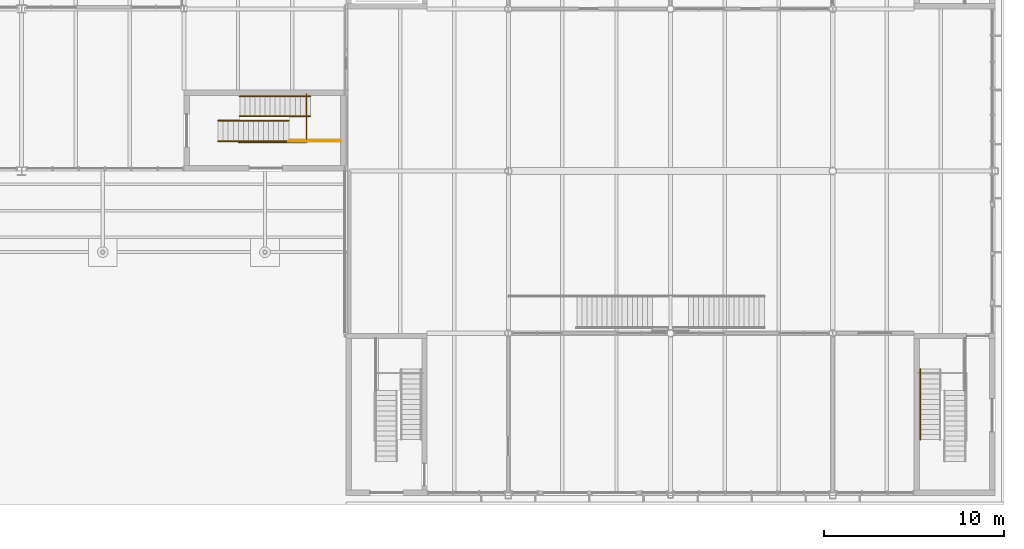
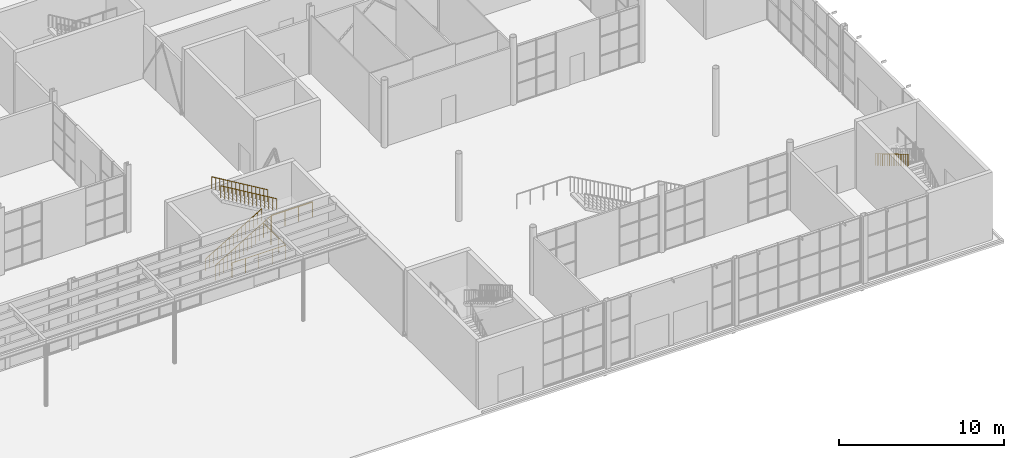
# One storey, part 58 of 63: 7 railings.
"""IFC4 building model written with IfcOpenShell, lengths in metres."""

from ifc_helpers import new_model, si_unit, direction, frame, origin, origin_2d, place, context, subcontext, project, spatial, circle, extrude, material, type_object, element, save


model = new_model("IFC4")

# Units and contexts
model_context = context("Model", 3, precision=1e-05, world=origin(), true_north=direction((0.0, 1.0)))
body_context = subcontext(model_context, "Body", "Model", "MODEL_VIEW")
ifc_project = project(units=[si_unit("LENGTHUNIT", "METRE"), si_unit("AREAUNIT", "SQUARE_METRE"), si_unit("VOLUMEUNIT", "CUBIC_METRE"), si_unit("PLANEANGLEUNIT", "RADIAN"), si_unit("MASSUNIT", "GRAM", prefix="KILO")], contexts=[model_context])

# Site, building, storey
site_placement = place(None, origin())
site = spatial("IfcSite", under=ifc_project, at=site_placement, CompositionType="ELEMENT")
building_placement = place(site_placement, origin())
building = spatial("IfcBuilding", under=site, at=building_placement, Name="Halyard Row Museum", CompositionType="ELEMENT")
storey_placement = place(building_placement, origin())
storey = spatial("IfcBuildingStorey", under=building, at=storey_placement, Name="L00", CompositionType="ELEMENT", Elevation=0.0)

# Railings
ifc_material_1 = material(Name="Steel Grade 300", Category="steel")
railing_type_1 = type_object("IfcRailingType", Name="Guard GR2 steel balustrade 1100", PredefinedType="GUARDRAIL", material=ifc_material_1)
railing_1_placement = place(storey_placement, frame((64.89990234375, 19.64990234375, 0.166748046875)))
element("IfcRailing", 1, at=railing_1_placement, inside=storey, type_object=railing_type_1, Name="Guard GR021", PredefinedType="GUARDRAIL", context=body_context, shape_type="SweptSolid", body=[
    extrude(circle(Radius=0.02392578125, at=origin_2d()), frame((0.0, 0.0, 1.076171875), z_axis=(0.859535888021, 0.0, 0.511075392877), x_axis=(0.0, 1.0, 0.0)), (0.0, 0.0, 1.0), 0.32568359375),
    extrude(circle(Radius=0.02392578125, at=origin_2d()), frame((0.280029296875, 0.0, 1.24267578125), z_axis=(0.859206643714, 0.0, 0.511628716353), x_axis=(0.0, 1.0, 0.0)), (0.0, 0.0, 1.0), 0.325927734375),
    extrude(circle(Radius=0.02392578125, at=origin_2d()), frame((0.56005859375, 0.0, 1.4091796875), z_axis=(0.859206643714, 0.0, 0.511628716353), x_axis=(0.0, 1.0, 0.0)), (0.0, 0.0, 1.0), 0.325927734375),
    extrude(circle(Radius=0.02392578125, at=origin_2d()), frame((0.840087890625, 0.0, 1.576171875), z_axis=(0.859535888021, 0.0, 0.511075392877), x_axis=(0.0, 1.0, 0.0)), (0.0, 0.0, 1.0), 0.32568359375),
    extrude(circle(Radius=0.02392578125, at=origin_2d()), frame((1.1201171875, 0.0, 1.74267578125), z_axis=(0.859206643714, 0.0, 0.511628716353), x_axis=(0.0, 1.0, 0.0)), (0.0, 0.0, 1.0), 0.325927734375),
    extrude(circle(Radius=0.02392578125, at=origin_2d()), frame((1.400146484375, 0.0, 1.9091796875), z_axis=(0.859206643714, 0.0, 0.511628716353), x_axis=(0.0, 1.0, 0.0)), (0.0, 0.0, 1.0), 0.325927734375),
    extrude(circle(Radius=0.02392578125, at=origin_2d()), frame((1.68017578125, 0.0, 2.076171875), z_axis=(0.859535888021, 0.0, 0.511075392877), x_axis=(0.0, 1.0, 0.0)), (0.0, 0.0, 1.0), 0.32568359375),
    extrude(circle(Radius=0.02392578125, at=origin_2d()), frame((1.960205078125, 0.0, 2.24267578125), z_axis=(0.859010369412, 0.0, 0.511958187006), x_axis=(0.0, 1.0, 0.0)), (0.0, 0.0, 1.0), 0.32568359375),
    extrude(circle(Radius=0.02392578125, at=origin_2d()), frame((2.239990234375, 0.0, 2.4091796875), z_axis=(0.859206643714, 0.0, 0.511628716353), x_axis=(0.0, 1.0, 0.0)), (0.0, 0.0, 1.0), 0.325927734375),
    extrude(circle(Radius=0.02392578125, at=origin_2d()), frame((2.52001953125, 0.0, 2.576171875), z_axis=(0.859535888021, 0.0, 0.511075392877), x_axis=(0.0, 1.0, 0.0)), (0.0, 0.0, 1.0), 0.32568359375),
    extrude(circle(Radius=0.02392578125, at=origin_2d()), frame((2.800048828125, 0.0, 2.74267578125), z_axis=(0.859206643714, 0.0, 0.511628716353), x_axis=(0.0, 1.0, 0.0)), (0.0, 0.0, 1.0), 0.325927734375),
    extrude(circle(Radius=0.02392578125, at=origin_2d()), frame((3.080078125, 0.0, 2.9091796875), z_axis=(0.859206643714, 0.0, 0.511628716353), x_axis=(0.0, 1.0, 0.0)), (0.0, 0.0, 1.0), 0.325927734375),
    extrude(circle(Radius=0.02392578125, at=origin_2d()), frame((3.360107421875, 0.0, 3.076171875), z_axis=(0.859535888021, 0.0, 0.511075392877), x_axis=(0.0, 1.0, 0.0)), (0.0, 0.0, 1.0), 0.32568359375),
    extrude(circle(Radius=0.02392578125, at=origin_2d()), frame((3.64013671875, 0.0, 3.24267578125), z_axis=(0.859206643714, 0.0, 0.511628716353), x_axis=(0.0, 1.0, 0.0)), (0.0, 0.0, 1.0), 0.325927734375),
    extrude(circle(Radius=0.02099609375, at=origin_2d()), origin(), (0.0, 0.0, 1.0), 1.052001953125),
    extrude(circle(Radius=0.02099609375, at=origin_2d()), frame((0.280029296875, 0.0, 0.16650390625)), (0.0, 0.0, 1.0), 1.052001953125),
    extrude(circle(Radius=0.02099609375, at=origin_2d()), frame((0.56005859375, 0.0, 0.333251953125)), (0.0, 0.0, 1.0), 1.052001953125),
    extrude(circle(Radius=0.02099609375, at=origin_2d()), frame((0.840087890625, 0.0, 0.5)), (0.0, 0.0, 1.0), 1.052001953125),
    extrude(circle(Radius=0.02099609375, at=origin_2d()), frame((1.1201171875, 0.0, 0.66650390625)), (0.0, 0.0, 1.0), 1.052001953125),
    extrude(circle(Radius=0.02099609375, at=origin_2d()), frame((1.400146484375, 0.0, 0.833251953125)), (0.0, 0.0, 1.0), 1.052001953125),
    extrude(circle(Radius=0.02099609375, at=origin_2d()), frame((1.68017578125, 0.0, 1.0)), (0.0, 0.0, 1.0), 1.052001953125),
    extrude(circle(Radius=0.02099609375, at=origin_2d()), frame((1.960205078125, 0.0, 1.16650390625)), (0.0, 0.0, 1.0), 1.052001953125),
    extrude(circle(Radius=0.02099609375, at=origin_2d()), frame((2.239990234375, 0.0, 1.333251953125)), (0.0, 0.0, 1.0), 1.052001953125),
    extrude(circle(Radius=0.02099609375, at=origin_2d()), frame((2.52001953125, 0.0, 1.5)), (0.0, 0.0, 1.0), 1.052001953125),
    extrude(circle(Radius=0.02099609375, at=origin_2d()), frame((2.800048828125, 0.0, 1.66650390625)), (0.0, 0.0, 1.0), 1.052001953125),
    extrude(circle(Radius=0.02099609375, at=origin_2d()), frame((3.080078125, 0.0, 1.833251953125)), (0.0, 0.0, 1.0), 1.052001953125),
    extrude(circle(Radius=0.02099609375, at=origin_2d()), frame((3.360107421875, 0.0, 2.0)), (0.0, 0.0, 1.0), 1.052001953125),
    extrude(circle(Radius=0.02099609375, at=origin_2d()), frame((3.64013671875, 0.0, 2.16650390625)), (0.0, 0.0, 1.0), 1.052001953125),
    extrude(circle(Radius=0.02099609375, at=origin_2d()), frame((3.920166015625, 0.0, 2.333251953125)), (0.0, 0.0, 1.0), 1.052001953125),
])
railing_2_placement = place(storey_placement, frame((68.820068359375, 19.64990234375, 2.5)))
element("IfcRailing", 2, at=railing_2_placement, inside=storey, type_object=railing_type_1, Name="Guard GR022", PredefinedType="GUARDRAIL", context=body_context, shape_type="SweptSolid", body=[
    extrude(circle(Radius=0.02392578125, at=origin_2d()), frame((0.0, 0.0, 1.076171875), z_axis=(1.0, 0.0, 0.0), x_axis=(0.0, 1.0, 0.0)), (0.0, 0.0, 1.0), 2.8798828125),
    extrude(circle(Radius=0.02099609375, at=origin_2d()), origin(), (0.0, 0.0, 1.0), 1.052001953125),
    extrude(circle(Radius=0.02099609375, at=origin_2d()), frame((0.9599609375, 0.0, 0.0)), (0.0, 0.0, 1.0), 1.052001953125),
    extrude(circle(Radius=0.02099609375, at=origin_2d()), frame((1.919921875, 0.0, 0.0)), (0.0, 0.0, 1.0), 1.052001953125),
    extrude(circle(Radius=0.02099609375, at=origin_2d()), frame((2.8798828125, 0.0, 0.0)), (0.0, 0.0, 1.0), 1.052001953125),
])
railing_3_placement = place(storey_placement, frame((69.800048828125, 22.260009765625, 0.0)))
element("IfcRailing", 3, at=railing_3_placement, inside=storey, type_object=railing_type_1, Name="Guard GR146", PredefinedType="GUARDRAIL", context=body_context, shape_type="SweptSolid", body=[
    extrude(circle(Radius=0.02392578125, at=origin_2d()), frame((0.0, 0.0, 1.076171875), z_axis=(0.0, -1.0, 0.0), x_axis=(1.0, 0.0, 0.0)), (0.0, 0.0, 1.0), 2.669921875),
    extrude(circle(Radius=0.02392578125, at=origin_2d()), frame((0.0, -2.669921875, 1.076171875), z_axis=(-1.0, 0.0, 0.0), x_axis=(0.0, -1.0, 0.0)), (0.0, 0.0, 1.0), 3.760009765625),
    extrude(circle(Radius=0.02099609375, at=origin_2d()), origin(), (0.0, 0.0, 1.0), 1.052001953125),
    extrude(circle(Radius=0.02099609375, at=origin_2d()), frame((0.0, -0.889892578125, 0.0)), (0.0, 0.0, 1.0), 1.052001953125),
    extrude(circle(Radius=0.02099609375, at=origin_2d()), frame((0.0, -1.780029296875, 0.0)), (0.0, 0.0, 1.0), 1.052001953125),
    extrude(circle(Radius=0.02099609375, at=origin_2d()), frame((0.0, -2.669921875, 0.0)), (0.0, 0.0, 1.0), 1.052001953125),
    extrude(circle(Radius=0.02099609375, at=origin_2d()), frame((-0.93994140625, -2.669921875, 0.0)), (0.0, 0.0, 1.0), 1.052001953125),
    extrude(circle(Radius=0.02099609375, at=origin_2d()), frame((-1.8798828125, -2.669921875, 0.0)), (0.0, 0.0, 1.0), 1.052001953125),
    extrude(circle(Radius=0.02099609375, at=origin_2d()), frame((-2.820068359375, -2.669921875, 0.0)), (0.0, 0.0, 1.0), 1.052001953125),
    extrude(circle(Radius=0.02099609375, at=origin_2d()), frame((-3.760009765625, -2.669921875, 0.0)), (0.0, 0.0, 1.0), 1.052001953125),
])
ifc_material_2 = material(Name="Steel Grade 300", Category="steel")
railing_type_2 = type_object("IfcRailingType", Name="Handrail HR2 steel 900", PredefinedType="HANDRAIL", material=ifc_material_2)
railing_4_placement = place(storey_placement, frame((64.89990234375, 20.800048828125, 0.166748046875)))
element("IfcRailing", 4, at=railing_4_placement, inside=storey, type_object=railing_type_2, Name="Handrail HR031", PredefinedType="HANDRAIL", context=body_context, shape_type="SweptSolid", body=[
    extrude(circle(Radius=0.02392578125, at=origin_2d()), frame((0.0, 0.0, 0.8759765625), z_axis=(0.859535888021, 0.0, 0.511075392877), x_axis=(0.0, 1.0, 0.0)), (0.0, 0.0, 1.0), 0.32568359375),
    extrude(circle(Radius=0.02392578125, at=origin_2d()), frame((0.280029296875, 0.0, 1.04248046875), z_axis=(0.859206643714, 0.0, 0.511628716353), x_axis=(0.0, 1.0, 0.0)), (0.0, 0.0, 1.0), 0.325927734375),
    extrude(circle(Radius=0.02392578125, at=origin_2d()), frame((0.56005859375, 0.0, 1.208984375), z_axis=(0.859206643714, 0.0, 0.511628716353), x_axis=(0.0, 1.0, 0.0)), (0.0, 0.0, 1.0), 0.325927734375),
    extrude(circle(Radius=0.02392578125, at=origin_2d()), frame((0.840087890625, 0.0, 1.3759765625), z_axis=(0.859535888021, 0.0, 0.511075392877), x_axis=(0.0, 1.0, 0.0)), (0.0, 0.0, 1.0), 0.32568359375),
    extrude(circle(Radius=0.02392578125, at=origin_2d()), frame((1.1201171875, 0.0, 1.54248046875), z_axis=(0.859206643714, 0.0, 0.511628716353), x_axis=(0.0, 1.0, 0.0)), (0.0, 0.0, 1.0), 0.325927734375),
    extrude(circle(Radius=0.02392578125, at=origin_2d()), frame((1.400146484375, 0.0, 1.708984375), z_axis=(0.859206643714, 0.0, 0.511628716353), x_axis=(0.0, 1.0, 0.0)), (0.0, 0.0, 1.0), 0.325927734375),
    extrude(circle(Radius=0.02392578125, at=origin_2d()), frame((1.68017578125, 0.0, 1.8759765625), z_axis=(0.859535888021, 0.0, 0.511075392877), x_axis=(0.0, 1.0, 0.0)), (0.0, 0.0, 1.0), 0.32568359375),
    extrude(circle(Radius=0.02392578125, at=origin_2d()), frame((1.960205078125, 0.0, 2.04248046875), z_axis=(0.859010369412, 0.0, 0.511958187006), x_axis=(0.0, 1.0, 0.0)), (0.0, 0.0, 1.0), 0.32568359375),
    extrude(circle(Radius=0.02392578125, at=origin_2d()), frame((2.239990234375, 0.0, 2.208984375), z_axis=(0.859206643714, 0.0, 0.511628716353), x_axis=(0.0, 1.0, 0.0)), (0.0, 0.0, 1.0), 0.325927734375),
    extrude(circle(Radius=0.02392578125, at=origin_2d()), frame((2.52001953125, 0.0, 2.3759765625), z_axis=(0.859535888021, 0.0, 0.511075392877), x_axis=(0.0, 1.0, 0.0)), (0.0, 0.0, 1.0), 0.32568359375),
    extrude(circle(Radius=0.02392578125, at=origin_2d()), frame((2.800048828125, 0.0, 2.54248046875), z_axis=(0.859206643714, 0.0, 0.511628716353), x_axis=(0.0, 1.0, 0.0)), (0.0, 0.0, 1.0), 0.325927734375),
    extrude(circle(Radius=0.02392578125, at=origin_2d()), frame((3.080078125, 0.0, 2.708984375), z_axis=(0.859206643714, 0.0, 0.511628716353), x_axis=(0.0, 1.0, 0.0)), (0.0, 0.0, 1.0), 0.325927734375),
    extrude(circle(Radius=0.02392578125, at=origin_2d()), frame((3.360107421875, 0.0, 2.8759765625), z_axis=(0.859535888021, 0.0, 0.511075392877), x_axis=(0.0, 1.0, 0.0)), (0.0, 0.0, 1.0), 0.32568359375),
    extrude(circle(Radius=0.02392578125, at=origin_2d()), frame((3.64013671875, 0.0, 3.04248046875), z_axis=(0.859206643714, 0.0, 0.511628716353), x_axis=(0.0, 1.0, 0.0)), (0.0, 0.0, 1.0), 0.325927734375),
    extrude(circle(Radius=0.02099609375, at=origin_2d()), origin(), (0.0, 0.0, 1.0), 0.851806640625),
    extrude(circle(Radius=0.02099609375, at=origin_2d()), frame((0.280029296875, 0.0, 0.16650390625)), (0.0, 0.0, 1.0), 0.851806640625),
    extrude(circle(Radius=0.02099609375, at=origin_2d()), frame((0.56005859375, 0.0, 0.333251953125)), (0.0, 0.0, 1.0), 0.851806640625),
    extrude(circle(Radius=0.02099609375, at=origin_2d()), frame((0.840087890625, 0.0, 0.5)), (0.0, 0.0, 1.0), 0.851806640625),
    extrude(circle(Radius=0.02099609375, at=origin_2d()), frame((1.1201171875, 0.0, 0.66650390625)), (0.0, 0.0, 1.0), 0.851806640625),
    extrude(circle(Radius=0.02099609375, at=origin_2d()), frame((1.400146484375, 0.0, 0.833251953125)), (0.0, 0.0, 1.0), 0.851806640625),
    extrude(circle(Radius=0.02099609375, at=origin_2d()), frame((1.68017578125, 0.0, 1.0)), (0.0, 0.0, 1.0), 0.851806640625),
    extrude(circle(Radius=0.02099609375, at=origin_2d()), frame((1.960205078125, 0.0, 1.16650390625)), (0.0, 0.0, 1.0), 0.851806640625),
    extrude(circle(Radius=0.02099609375, at=origin_2d()), frame((2.239990234375, 0.0, 1.333251953125)), (0.0, 0.0, 1.0), 0.851806640625),
    extrude(circle(Radius=0.02099609375, at=origin_2d()), frame((2.52001953125, 0.0, 1.5)), (0.0, 0.0, 1.0), 0.851806640625),
    extrude(circle(Radius=0.02099609375, at=origin_2d()), frame((2.800048828125, 0.0, 1.66650390625)), (0.0, 0.0, 1.0), 0.851806640625),
    extrude(circle(Radius=0.02099609375, at=origin_2d()), frame((3.080078125, 0.0, 1.833251953125)), (0.0, 0.0, 1.0), 0.851806640625),
    extrude(circle(Radius=0.02099609375, at=origin_2d()), frame((3.360107421875, 0.0, 2.0)), (0.0, 0.0, 1.0), 0.851806640625),
    extrude(circle(Radius=0.02099609375, at=origin_2d()), frame((3.64013671875, 0.0, 2.16650390625)), (0.0, 0.0, 1.0), 0.851806640625),
    extrude(circle(Radius=0.02099609375, at=origin_2d()), frame((3.920166015625, 0.0, 2.333251953125)), (0.0, 0.0, 1.0), 0.851806640625),
])
railing_5_placement = place(storey_placement, frame((70.02001953125, 22.14990234375, 2.666748046875)))
element("IfcRailing", 5, at=railing_5_placement, inside=storey, type_object=railing_type_2, Name="Handrail HR032", PredefinedType="HANDRAIL", context=body_context, shape_type="SweptSolid", body=[
    extrude(circle(Radius=0.02392578125, at=origin_2d()), frame((0.0, 0.0, 0.8759765625), z_axis=(-0.859535888021, 0.0, 0.511075392877), x_axis=(0.0, -1.0, 0.0)), (0.0, 0.0, 1.0), 0.32568359375),
    extrude(circle(Radius=0.02392578125, at=origin_2d()), frame((-0.280029296875, 0.0, 1.04248046875), z_axis=(-0.859206643714, 0.0, 0.511628716353), x_axis=(0.0, -1.0, 0.0)), (0.0, 0.0, 1.0), 0.325927734375),
    extrude(circle(Radius=0.02392578125, at=origin_2d()), frame((-0.56005859375, 0.0, 1.208984375), z_axis=(-0.859206643714, 0.0, 0.511628716353), x_axis=(0.0, -1.0, 0.0)), (0.0, 0.0, 1.0), 0.325927734375),
    extrude(circle(Radius=0.02392578125, at=origin_2d()), frame((-0.840087890625, 0.0, 1.3759765625), z_axis=(-0.859535888021, 0.0, 0.511075392877), x_axis=(0.0, -1.0, 0.0)), (0.0, 0.0, 1.0), 0.32568359375),
    extrude(circle(Radius=0.02392578125, at=origin_2d()), frame((-1.1201171875, 0.0, 1.54248046875), z_axis=(-0.859010369412, 0.0, 0.511958187006), x_axis=(0.0, -1.0, 0.0)), (0.0, 0.0, 1.0), 0.32568359375),
    extrude(circle(Radius=0.02392578125, at=origin_2d()), frame((-1.39990234375, 0.0, 1.708984375), z_axis=(-0.859206643714, 0.0, 0.511628716353), x_axis=(0.0, -1.0, 0.0)), (0.0, 0.0, 1.0), 0.325927734375),
    extrude(circle(Radius=0.02392578125, at=origin_2d()), frame((-1.679931640625, 0.0, 1.8759765625), z_axis=(-0.859535888021, 0.0, 0.511075392877), x_axis=(0.0, -1.0, 0.0)), (0.0, 0.0, 1.0), 0.32568359375),
    extrude(circle(Radius=0.02392578125, at=origin_2d()), frame((-1.9599609375, 0.0, 2.04248046875), z_axis=(-0.859206643714, 0.0, 0.511628716353), x_axis=(0.0, -1.0, 0.0)), (0.0, 0.0, 1.0), 0.325927734375),
    extrude(circle(Radius=0.02392578125, at=origin_2d()), frame((-2.239990234375, 0.0, 2.208984375), z_axis=(-0.859206643714, 0.0, 0.511628716353), x_axis=(0.0, -1.0, 0.0)), (0.0, 0.0, 1.0), 0.325927734375),
    extrude(circle(Radius=0.02392578125, at=origin_2d()), frame((-2.52001953125, 0.0, 2.3759765625), z_axis=(-0.859535888021, 0.0, 0.511075392877), x_axis=(0.0, -1.0, 0.0)), (0.0, 0.0, 1.0), 0.32568359375),
    extrude(circle(Radius=0.02392578125, at=origin_2d()), frame((-2.800048828125, 0.0, 2.54248046875), z_axis=(-0.859206643714, 0.0, 0.511628716353), x_axis=(0.0, -1.0, 0.0)), (0.0, 0.0, 1.0), 0.325927734375),
    extrude(circle(Radius=0.02392578125, at=origin_2d()), frame((-3.080078125, 0.0, 2.708984375), z_axis=(-0.859206643714, 0.0, 0.511628716353), x_axis=(0.0, -1.0, 0.0)), (0.0, 0.0, 1.0), 0.325927734375),
    extrude(circle(Radius=0.02392578125, at=origin_2d()), frame((-3.360107421875, 0.0, 2.8759765625), z_axis=(-0.859535888021, 0.0, 0.511075392877), x_axis=(0.0, -1.0, 0.0)), (0.0, 0.0, 1.0), 0.32568359375),
    extrude(circle(Radius=0.02392578125, at=origin_2d()), frame((-3.64013671875, 0.0, 3.04248046875), z_axis=(-0.859010369412, 0.0, 0.511958187006), x_axis=(0.0, -1.0, 0.0)), (0.0, 0.0, 1.0), 0.32568359375),
    extrude(circle(Radius=0.02099609375, at=origin_2d()), origin(), (0.0, 0.0, 1.0), 0.851806640625),
    extrude(circle(Radius=0.02099609375, at=origin_2d()), frame((-0.280029296875, 0.0, 0.16650390625)), (0.0, 0.0, 1.0), 0.851806640625),
    extrude(circle(Radius=0.02099609375, at=origin_2d()), frame((-0.56005859375, 0.0, 0.333251953125)), (0.0, 0.0, 1.0), 0.851806640625),
    extrude(circle(Radius=0.02099609375, at=origin_2d()), frame((-0.840087890625, 0.0, 0.5)), (0.0, 0.0, 1.0), 0.851806640625),
    extrude(circle(Radius=0.02099609375, at=origin_2d()), frame((-1.1201171875, 0.0, 0.66650390625)), (0.0, 0.0, 1.0), 0.851806640625),
    extrude(circle(Radius=0.02099609375, at=origin_2d()), frame((-1.39990234375, 0.0, 0.833251953125)), (0.0, 0.0, 1.0), 0.851806640625),
    extrude(circle(Radius=0.02099609375, at=origin_2d()), frame((-1.679931640625, 0.0, 1.0)), (0.0, 0.0, 1.0), 0.851806640625),
    extrude(circle(Radius=0.02099609375, at=origin_2d()), frame((-1.9599609375, 0.0, 1.16650390625)), (0.0, 0.0, 1.0), 0.851806640625),
    extrude(circle(Radius=0.02099609375, at=origin_2d()), frame((-2.239990234375, 0.0, 1.333251953125)), (0.0, 0.0, 1.0), 0.851806640625),
    extrude(circle(Radius=0.02099609375, at=origin_2d()), frame((-2.52001953125, 0.0, 1.5)), (0.0, 0.0, 1.0), 0.851806640625),
    extrude(circle(Radius=0.02099609375, at=origin_2d()), frame((-2.800048828125, 0.0, 1.66650390625)), (0.0, 0.0, 1.0), 0.851806640625),
    extrude(circle(Radius=0.02099609375, at=origin_2d()), frame((-3.080078125, 0.0, 1.833251953125)), (0.0, 0.0, 1.0), 0.851806640625),
    extrude(circle(Radius=0.02099609375, at=origin_2d()), frame((-3.360107421875, 0.0, 2.0)), (0.0, 0.0, 1.0), 0.851806640625),
    extrude(circle(Radius=0.02099609375, at=origin_2d()), frame((-3.64013671875, 0.0, 2.16650390625)), (0.0, 0.0, 1.0), 0.851806640625),
    extrude(circle(Radius=0.02099609375, at=origin_2d()), frame((-3.919921875, 0.0, 2.333251953125)), (0.0, 0.0, 1.0), 0.851806640625),
])
railing_6_placement = place(storey_placement, frame((70.02001953125, 21.050048828125, 2.666748046875)))
element("IfcRailing", 6, at=railing_6_placement, inside=storey, type_object=railing_type_2, Name="Handrail HR033", PredefinedType="HANDRAIL", context=body_context, shape_type="SweptSolid", body=[
    extrude(circle(Radius=0.02392578125, at=origin_2d()), frame((0.0, 0.0, 0.8759765625), z_axis=(-0.859535888021, 0.0, 0.511075392877), x_axis=(0.0, -1.0, 0.0)), (0.0, 0.0, 1.0), 0.32568359375),
    extrude(circle(Radius=0.02392578125, at=origin_2d()), frame((-0.280029296875, 0.0, 1.04248046875), z_axis=(-0.859206643714, 0.0, 0.511628716353), x_axis=(0.0, -1.0, 0.0)), (0.0, 0.0, 1.0), 0.325927734375),
    extrude(circle(Radius=0.02392578125, at=origin_2d()), frame((-0.56005859375, 0.0, 1.208984375), z_axis=(-0.859206643714, 0.0, 0.511628716353), x_axis=(0.0, -1.0, 0.0)), (0.0, 0.0, 1.0), 0.325927734375),
    extrude(circle(Radius=0.02392578125, at=origin_2d()), frame((-0.840087890625, 0.0, 1.3759765625), z_axis=(-0.859535888021, 0.0, 0.511075392877), x_axis=(0.0, -1.0, 0.0)), (0.0, 0.0, 1.0), 0.32568359375),
    extrude(circle(Radius=0.02392578125, at=origin_2d()), frame((-1.1201171875, 0.0, 1.54248046875), z_axis=(-0.859010369412, 0.0, 0.511958187006), x_axis=(0.0, -1.0, 0.0)), (0.0, 0.0, 1.0), 0.32568359375),
    extrude(circle(Radius=0.02392578125, at=origin_2d()), frame((-1.39990234375, 0.0, 1.708984375), z_axis=(-0.859206643714, 0.0, 0.511628716353), x_axis=(0.0, -1.0, 0.0)), (0.0, 0.0, 1.0), 0.325927734375),
    extrude(circle(Radius=0.02392578125, at=origin_2d()), frame((-1.679931640625, 0.0, 1.8759765625), z_axis=(-0.859535888021, 0.0, 0.511075392877), x_axis=(0.0, -1.0, 0.0)), (0.0, 0.0, 1.0), 0.32568359375),
    extrude(circle(Radius=0.02392578125, at=origin_2d()), frame((-1.9599609375, 0.0, 2.04248046875), z_axis=(-0.859206643714, 0.0, 0.511628716353), x_axis=(0.0, -1.0, 0.0)), (0.0, 0.0, 1.0), 0.325927734375),
    extrude(circle(Radius=0.02392578125, at=origin_2d()), frame((-2.239990234375, 0.0, 2.208984375), z_axis=(-0.859206643714, 0.0, 0.511628716353), x_axis=(0.0, -1.0, 0.0)), (0.0, 0.0, 1.0), 0.325927734375),
    extrude(circle(Radius=0.02392578125, at=origin_2d()), frame((-2.52001953125, 0.0, 2.3759765625), z_axis=(-0.859535888021, 0.0, 0.511075392877), x_axis=(0.0, -1.0, 0.0)), (0.0, 0.0, 1.0), 0.32568359375),
    extrude(circle(Radius=0.02392578125, at=origin_2d()), frame((-2.800048828125, 0.0, 2.54248046875), z_axis=(-0.859206643714, 0.0, 0.511628716353), x_axis=(0.0, -1.0, 0.0)), (0.0, 0.0, 1.0), 0.325927734375),
    extrude(circle(Radius=0.02392578125, at=origin_2d()), frame((-3.080078125, 0.0, 2.708984375), z_axis=(-0.859206643714, 0.0, 0.511628716353), x_axis=(0.0, -1.0, 0.0)), (0.0, 0.0, 1.0), 0.325927734375),
    extrude(circle(Radius=0.02392578125, at=origin_2d()), frame((-3.360107421875, 0.0, 2.8759765625), z_axis=(-0.859535888021, 0.0, 0.511075392877), x_axis=(0.0, -1.0, 0.0)), (0.0, 0.0, 1.0), 0.32568359375),
    extrude(circle(Radius=0.02392578125, at=origin_2d()), frame((-3.64013671875, 0.0, 3.04248046875), z_axis=(-0.859010369412, 0.0, 0.511958187006), x_axis=(0.0, -1.0, 0.0)), (0.0, 0.0, 1.0), 0.32568359375),
    extrude(circle(Radius=0.02099609375, at=origin_2d()), origin(), (0.0, 0.0, 1.0), 0.851806640625),
    extrude(circle(Radius=0.02099609375, at=origin_2d()), frame((-0.280029296875, 0.0, 0.16650390625)), (0.0, 0.0, 1.0), 0.851806640625),
    extrude(circle(Radius=0.02099609375, at=origin_2d()), frame((-0.56005859375, 0.0, 0.333251953125)), (0.0, 0.0, 1.0), 0.851806640625),
    extrude(circle(Radius=0.02099609375, at=origin_2d()), frame((-0.840087890625, 0.0, 0.5)), (0.0, 0.0, 1.0), 0.851806640625),
    extrude(circle(Radius=0.02099609375, at=origin_2d()), frame((-1.1201171875, 0.0, 0.66650390625)), (0.0, 0.0, 1.0), 0.851806640625),
    extrude(circle(Radius=0.02099609375, at=origin_2d()), frame((-1.39990234375, 0.0, 0.833251953125)), (0.0, 0.0, 1.0), 0.851806640625),
    extrude(circle(Radius=0.02099609375, at=origin_2d()), frame((-1.679931640625, 0.0, 1.0)), (0.0, 0.0, 1.0), 0.851806640625),
    extrude(circle(Radius=0.02099609375, at=origin_2d()), frame((-1.9599609375, 0.0, 1.16650390625)), (0.0, 0.0, 1.0), 0.851806640625),
    extrude(circle(Radius=0.02099609375, at=origin_2d()), frame((-2.239990234375, 0.0, 1.333251953125)), (0.0, 0.0, 1.0), 0.851806640625),
    extrude(circle(Radius=0.02099609375, at=origin_2d()), frame((-2.52001953125, 0.0, 1.5)), (0.0, 0.0, 1.0), 0.851806640625),
    extrude(circle(Radius=0.02099609375, at=origin_2d()), frame((-2.800048828125, 0.0, 1.66650390625)), (0.0, 0.0, 1.0), 0.851806640625),
    extrude(circle(Radius=0.02099609375, at=origin_2d()), frame((-3.080078125, 0.0, 1.833251953125)), (0.0, 0.0, 1.0), 0.851806640625),
    extrude(circle(Radius=0.02099609375, at=origin_2d()), frame((-3.360107421875, 0.0, 2.0)), (0.0, 0.0, 1.0), 0.851806640625),
    extrude(circle(Radius=0.02099609375, at=origin_2d()), frame((-3.64013671875, 0.0, 2.16650390625)), (0.0, 0.0, 1.0), 0.851806640625),
    extrude(circle(Radius=0.02099609375, at=origin_2d()), frame((-3.919921875, 0.0, 2.333251953125)), (0.0, 0.0, 1.0), 0.851806640625),
])
railing_7_placement = place(storey_placement, frame((103.85009765625, 7.02001953125, 2.666748046875)))
element("IfcRailing", 7, at=railing_7_placement, inside=storey, type_object=railing_type_2, Name="Handrail HR077", PredefinedType="HANDRAIL", context=body_context, shape_type="SweptSolid", body=[
    extrude(circle(Radius=0.02392578125, at=origin_2d()), frame((0.0, 0.0, 0.8759765625), z_axis=(0.0, -0.859535888021, 0.511075392877), x_axis=(1.0, 0.0, 0.0)), (0.0, 0.0, 1.0), 0.32568359375),
    extrude(circle(Radius=0.02392578125, at=origin_2d()), frame((0.0, -0.280029296875, 1.04248046875), z_axis=(0.0, -0.859206643714, 0.511628716353), x_axis=(1.0, 0.0, 0.0)), (0.0, 0.0, 1.0), 0.325927734375),
    extrude(circle(Radius=0.02392578125, at=origin_2d()), frame((0.0, -0.56005859375, 1.208984375), z_axis=(0.0, -0.859206643714, 0.511628716353), x_axis=(1.0, 0.0, 0.0)), (0.0, 0.0, 1.0), 0.325927734375),
    extrude(circle(Radius=0.02392578125, at=origin_2d()), frame((0.0, -0.840087890625, 1.3759765625), z_axis=(0.0, -0.859535888021, 0.511075392877), x_axis=(1.0, 0.0, 0.0)), (0.0, 0.0, 1.0), 0.32568359375),
    extrude(circle(Radius=0.02392578125, at=origin_2d()), frame((0.0, -1.1201171875, 1.54248046875), z_axis=(0.0, -0.859010369412, 0.511958187006), x_axis=(1.0, 0.0, 0.0)), (0.0, 0.0, 1.0), 0.32568359375),
    extrude(circle(Radius=0.02392578125, at=origin_2d()), frame((0.0, -1.39990234375, 1.708984375), z_axis=(0.0, -0.859206643714, 0.511628716353), x_axis=(1.0, 0.0, 0.0)), (0.0, 0.0, 1.0), 0.325927734375),
    extrude(circle(Radius=0.02392578125, at=origin_2d()), frame((0.0, -1.679931640625, 1.8759765625), z_axis=(0.0, -0.859535888021, 0.511075392877), x_axis=(1.0, 0.0, 0.0)), (0.0, 0.0, 1.0), 0.32568359375),
    extrude(circle(Radius=0.02392578125, at=origin_2d()), frame((0.0, -1.9599609375, 2.04248046875), z_axis=(0.0, -0.859206643714, 0.511628716353), x_axis=(1.0, 0.0, 0.0)), (0.0, 0.0, 1.0), 0.325927734375),
    extrude(circle(Radius=0.02392578125, at=origin_2d()), frame((0.0, -2.239990234375, 2.208984375), z_axis=(0.0, -0.859206643714, 0.511628716353), x_axis=(1.0, 0.0, 0.0)), (0.0, 0.0, 1.0), 0.325927734375),
    extrude(circle(Radius=0.02392578125, at=origin_2d()), frame((0.0, -2.52001953125, 2.3759765625), z_axis=(0.0, -0.859535888021, 0.511075392877), x_axis=(1.0, 0.0, 0.0)), (0.0, 0.0, 1.0), 0.32568359375),
    extrude(circle(Radius=0.02392578125, at=origin_2d()), frame((0.0, -2.800048828125, 2.54248046875), z_axis=(0.0, -0.859206643714, 0.511628716353), x_axis=(1.0, 0.0, 0.0)), (0.0, 0.0, 1.0), 0.325927734375),
    extrude(circle(Radius=0.02392578125, at=origin_2d()), frame((0.0, -3.080078125, 2.708984375), z_axis=(0.0, -0.859206643714, 0.511628716353), x_axis=(1.0, 0.0, 0.0)), (0.0, 0.0, 1.0), 0.325927734375),
    extrude(circle(Radius=0.02392578125, at=origin_2d()), frame((0.0, -3.360107421875, 2.8759765625), z_axis=(0.0, -0.859535888021, 0.511075392877), x_axis=(1.0, 0.0, 0.0)), (0.0, 0.0, 1.0), 0.32568359375),
    extrude(circle(Radius=0.02392578125, at=origin_2d()), frame((0.0, -3.64013671875, 3.04248046875), z_axis=(0.0, -0.859010369412, 0.511958187006), x_axis=(1.0, 0.0, 0.0)), (0.0, 0.0, 1.0), 0.32568359375),
    extrude(circle(Radius=0.02099609375, at=origin_2d()), origin(), (0.0, 0.0, 1.0), 0.851806640625),
    extrude(circle(Radius=0.02099609375, at=origin_2d()), frame((0.0, -0.280029296875, 0.16650390625)), (0.0, 0.0, 1.0), 0.851806640625),
    extrude(circle(Radius=0.02099609375, at=origin_2d()), frame((0.0, -0.56005859375, 0.333251953125)), (0.0, 0.0, 1.0), 0.851806640625),
    extrude(circle(Radius=0.02099609375, at=origin_2d()), frame((0.0, -0.840087890625, 0.5)), (0.0, 0.0, 1.0), 0.851806640625),
    extrude(circle(Radius=0.02099609375, at=origin_2d()), frame((0.0, -1.1201171875, 0.66650390625)), (0.0, 0.0, 1.0), 0.851806640625),
    extrude(circle(Radius=0.02099609375, at=origin_2d()), frame((0.0, -1.39990234375, 0.833251953125)), (0.0, 0.0, 1.0), 0.851806640625),
    extrude(circle(Radius=0.02099609375, at=origin_2d()), frame((0.0, -1.679931640625, 1.0)), (0.0, 0.0, 1.0), 0.851806640625),
    extrude(circle(Radius=0.02099609375, at=origin_2d()), frame((0.0, -1.9599609375, 1.16650390625)), (0.0, 0.0, 1.0), 0.851806640625),
    extrude(circle(Radius=0.02099609375, at=origin_2d()), frame((0.0, -2.239990234375, 1.333251953125)), (0.0, 0.0, 1.0), 0.851806640625),
    extrude(circle(Radius=0.02099609375, at=origin_2d()), frame((0.0, -2.52001953125, 1.5)), (0.0, 0.0, 1.0), 0.851806640625),
    extrude(circle(Radius=0.02099609375, at=origin_2d()), frame((0.0, -2.800048828125, 1.66650390625)), (0.0, 0.0, 1.0), 0.851806640625),
    extrude(circle(Radius=0.02099609375, at=origin_2d()), frame((0.0, -3.080078125, 1.833251953125)), (0.0, 0.0, 1.0), 0.851806640625),
    extrude(circle(Radius=0.02099609375, at=origin_2d()), frame((0.0, -3.360107421875, 2.0)), (0.0, 0.0, 1.0), 0.851806640625),
    extrude(circle(Radius=0.02099609375, at=origin_2d()), frame((0.0, -3.64013671875, 2.16650390625)), (0.0, 0.0, 1.0), 0.851806640625),
    extrude(circle(Radius=0.02099609375, at=origin_2d()), frame((0.0, -3.919921875, 2.333251953125)), (0.0, 0.0, 1.0), 0.851806640625),
])

save(model, "model.ifc")
